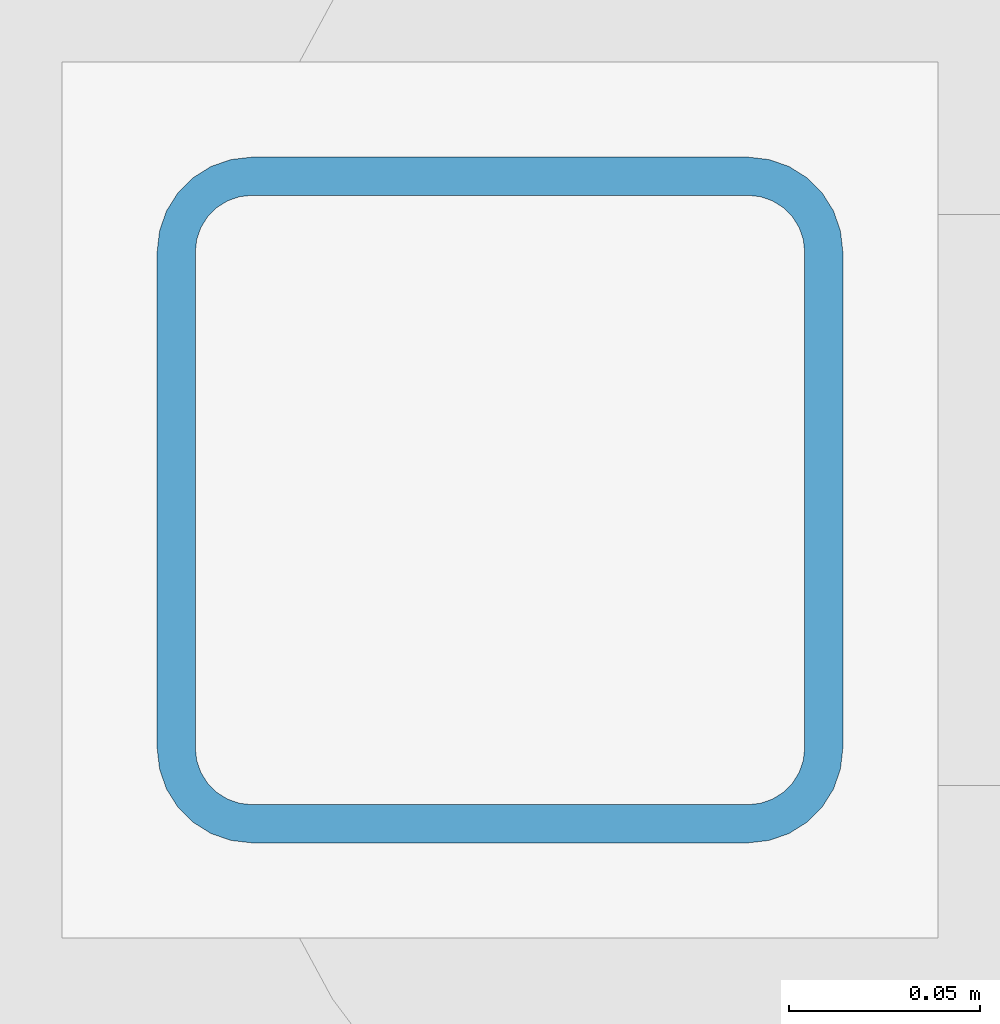
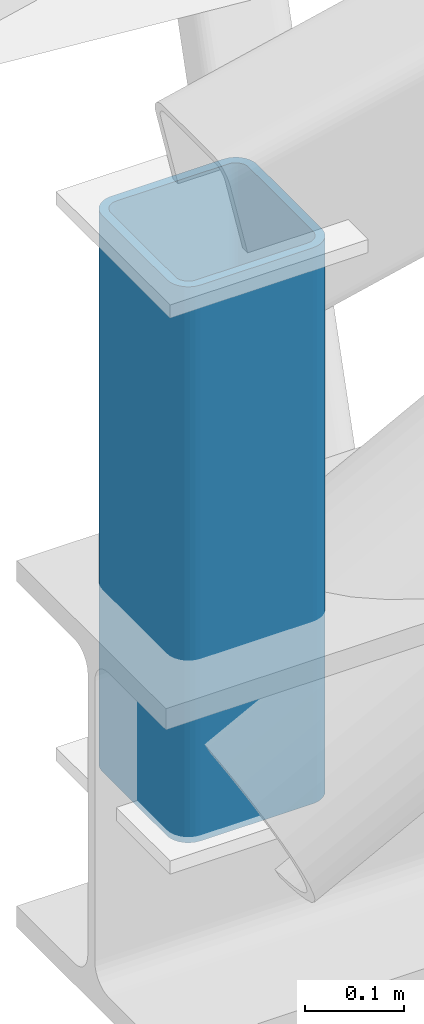
# One storey, part 51 of 90: 1 member.
"""IFC4 building model written with IfcOpenShell, lengths in metres."""

from ifc_helpers import new_model, si_unit, direction, frame, origin, origin_2d, place, context, subcontext, project, spatial, hollow_rectangle, extrude, material, material_profile, profile_set, type_object, element, save


model = new_model("IFC4")

# Units and contexts
model_context = context("Model", 3, precision=1e-05, world=origin(), true_north=direction((0.0, 1.0)))
body_context = subcontext(model_context, "Body", "Model", "MODEL_VIEW")
ifc_project = project(units=[si_unit("LENGTHUNIT", "METRE"), si_unit("AREAUNIT", "SQUARE_METRE"), si_unit("VOLUMEUNIT", "CUBIC_METRE"), si_unit("PLANEANGLEUNIT", "RADIAN"), si_unit("MASSUNIT", "GRAM", prefix="KILO")], contexts=[model_context])

# Site, building, storey
site_placement = place(None, origin())
site = spatial("IfcSite", under=ifc_project, at=site_placement, CompositionType="ELEMENT")
building_placement = place(site_placement, origin())
building = spatial("IfcBuilding", under=site, at=building_placement, Name="Bozkorgan Art Gallery", CompositionType="ELEMENT")
storey_placement = place(building_placement, frame((0.0, 0.0, 5.39990234375)))
storey = spatial("IfcBuildingStorey", under=building, at=storey_placement, Name="L01", CompositionType="ELEMENT", Elevation=5.39990234375)

# Member
ifc_material = material(Name="Steel S355J2", Category="steel")
ifc_material_profile = material_profile(ifc_material, hollow_rectangle(XDim=0.179931640625, YDim=0.179931640625, WallThickness=0.010009765625, InnerFilletRadius=0.014892578125, OuterFilletRadius=0.02490234375, at=origin_2d()), Name="SHS 180x180x10")
ifc_profile_set = profile_set([ifc_material_profile], Name="Steel S355J2")
member_type = type_object("IfcMemberType", Name="MEMBER-TP-98", PredefinedType="POST", material=ifc_profile_set)
member_placement = place(storey_placement, frame((127.85009765625, 102.800048828125, 0.22509765625), z_axis=(0.0, 0.0, 1.0), x_axis=(1.0, 0.0, 0.0)))
element("IfcMember", 1, at=member_placement, inside=storey, type_object=member_type, Name="ROOF-V5-DOCK roof truss 5 post 0", PredefinedType="POST", context=body_context, shape_type="SweptSolid", body=[
    extrude(hollow_rectangle(XDim=0.179931640625, YDim=0.179931640625, WallThickness=0.010009765625, InnerFilletRadius=0.014892578125, OuterFilletRadius=0.02490234375, at=origin_2d()), origin(), (0.0, 0.0, 1.0), 0.6826171875),
])

save(model, "model.ifc")
